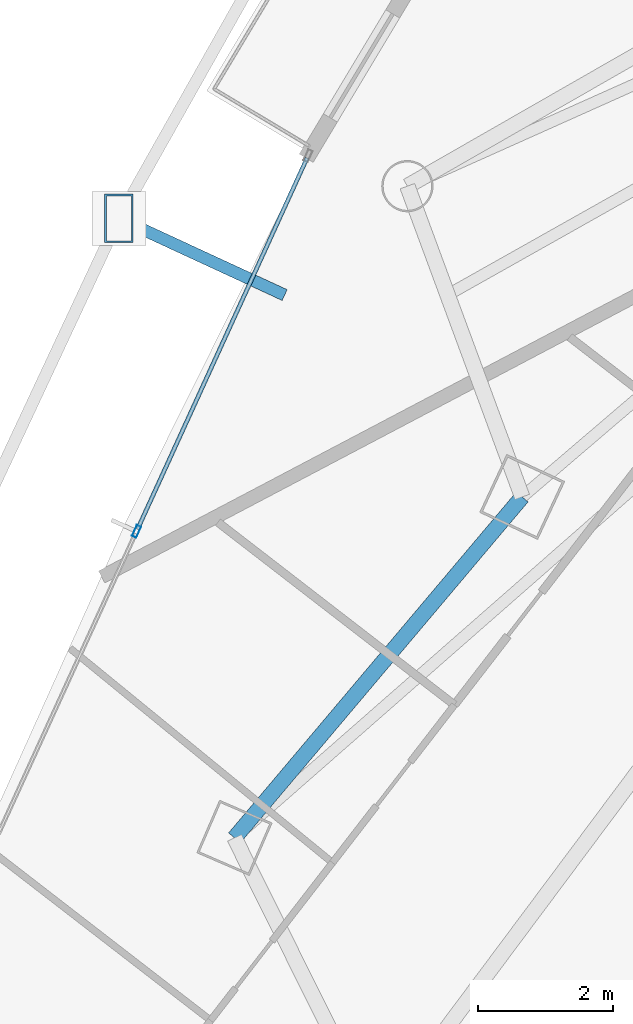
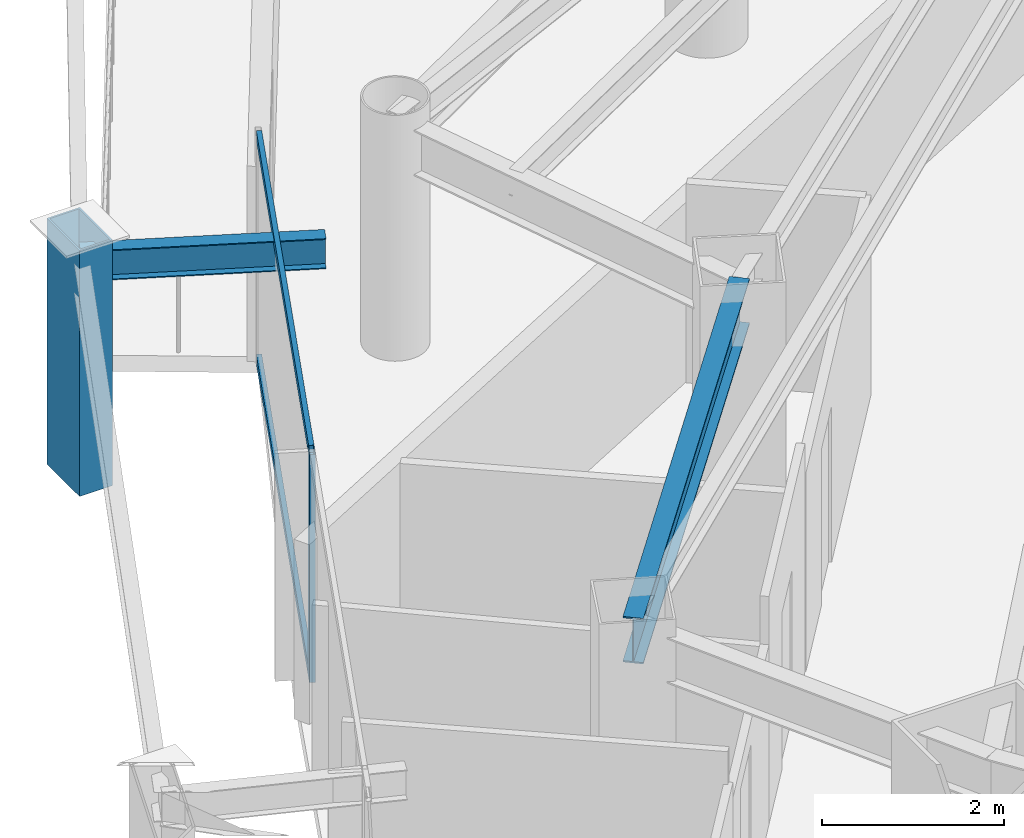
# One storey, part 8 of 34: 4 members, 2 beams, 1 element without a shape of its own.
"""IFC4 building model written with IfcOpenShell, lengths in metres."""

from ifc_helpers import new_model, si_unit, direction, frame, origin, origin_2d, place, context, subcontext, project, spatial, hollow_rectangle, i_section, extrude, material, layer, layer_set, material_profile, profile_set, type_object, element, aggregate, save


model = new_model("IFC4")

# Units and contexts
model_context = context("Model", 3, precision=1e-05, world=origin(), true_north=direction((0.0, 1.0)))
body_context = subcontext(model_context, "Body", "Model", "MODEL_VIEW")
ifc_project = project(units=[si_unit("LENGTHUNIT", "METRE"), si_unit("AREAUNIT", "SQUARE_METRE"), si_unit("VOLUMEUNIT", "CUBIC_METRE"), si_unit("PLANEANGLEUNIT", "RADIAN"), si_unit("MASSUNIT", "GRAM", prefix="KILO")], contexts=[model_context])

# Site, building, storey
site_placement = place(None, origin())
site = spatial("IfcSite", under=ifc_project, at=site_placement, CompositionType="ELEMENT")
building_placement = place(site_placement, origin())
building = spatial("IfcBuilding", under=site, at=building_placement, Name="Orvanel Arch Residences", CompositionType="ELEMENT")
storey_placement = place(building_placement, frame((0.0, 0.0, 80.75)))
storey = spatial("IfcBuildingStorey", under=building, at=storey_placement, Name="L22", CompositionType="ELEMENT", Elevation=80.75)

# Member
ifc_material_1 = material(Name="Structural steel AS/NZS 3678 Grade 350", Category="steel")
ifc_material_profile_1 = material_profile(ifc_material_1, hollow_rectangle(XDim=0.419921875, YDim=0.719970703125, WallThickness=0.02490234375, at=origin_2d()), Name="RHS720x420x25")
ifc_profile_set_1 = profile_set([ifc_material_profile_1], Name="Structural steel AS/NZS 3678 Grade 350")
member_type_1 = type_object("IfcMemberType", Name="CH-720RHS-EXT", PredefinedType="CHORD", material=ifc_profile_set_1)
member_1_placement = place(storey_placement, frame((10.3779296875, 23.777099609375, 0.0), z_axis=(0.0, 0.0, 1.0), x_axis=(1.0, 0.0, 0.0)))
element("IfcMember", 1, at=member_1_placement, inside=storey, type_object=member_type_1, Name="L22 Outer Perimeter Frame Post 03", PredefinedType="CHORD", context=body_context, shape_type="SweptSolid", body=[
    extrude(hollow_rectangle(XDim=0.419921875, YDim=0.719970703125, WallThickness=0.02490234375, at=origin_2d()), origin(), (0.0, 0.0, 1.0), 3.300048828125),
])

# Curtain wall, member
ifc_material_2 = material(Name="Bronze-anodised aluminium AA6063-T6", Category="aluminium")
ifc_layer = layer(ifc_material_2, 0.179931640625)
ifc_layer_set = layer_set([ifc_layer], Name="Bronze-anodised aluminium AA6063-T6")
curtain_wall_type = type_object("IfcCurtainWallType", Name="CW2-LOW-SYS", PredefinedType="NOTDEFINED", material=ifc_layer_set)
curtain_wall_placement = place(storey_placement, origin())
curtain_wall = element("IfcCurtainWall", 2, at=curtain_wall_placement, inside=storey, type_object=curtain_wall_type, Name="L22 CW2-LOW-SYS Unitised Curtain Wall", PredefinedType="NOTDEFINED")
ifc_material_profile_2 = material_profile(ifc_material_2, hollow_rectangle(XDim=0.070068359375, YDim=0.179931640625, WallThickness=0.00439453125, at=origin_2d()), Name="ALU180x70x4.5")
ifc_profile_set_2 = profile_set([ifc_material_profile_2], Name="Bronze-anodised aluminium AA6063-T6")
member_type_2 = type_object("IfcMemberType", Name="MUL-180x70", PredefinedType="MULLION", material=ifc_profile_set_2)
member_2_placement = place(storey_placement, frame((10.640625, 19.1298828125, 0.0), z_axis=(0.0, 0.0, 1.0), x_axis=(0.909616944848, -0.415447967434, 0.0)))
member_2 = element("IfcMember", 3, at=member_2_placement, type_object=member_type_2, Name="CW-S2 mullion 2", PredefinedType="MULLION", context=body_context, shape_type="SweptSolid", body=[
    extrude(hollow_rectangle(XDim=0.070068359375, YDim=0.179931640625, WallThickness=0.00439453125, at=origin_2d()), origin(), (0.0, 0.0, 1.0), 3.06005859375),
])

# Beams
ifc_material_3 = material(Name="Structural steel AS/NZS 3679.1 Grade 300 (300 MPa)", Category="steel")
ifc_material_profile_3 = material_profile(ifc_material_3, i_section(OverallWidth=0.177978515625, OverallDepth=0.406005859375, WebThickness=0.0078125, FlangeThickness=0.0126953125, at=origin_2d()), Name="410UB59.7")
ifc_profile_set_3 = profile_set([ifc_material_profile_3], Name="Structural steel AS/NZS 3679.1 Grade 300 (300 MPa)")
beam_type_1 = type_object("IfcBeamType", Name="OB-410UB-EXT", PredefinedType="SPANDREL", material=ifc_profile_set_3)
beam_1_placement = place(storey_placement, frame((12.840087890625, 22.638916015625, 2.85693359375), z_axis=(-0.907706325424, 0.419606037593, 0.0), x_axis=(-0.419606037593, -0.907706325424, 0.0)))
element("IfcBeam", 4, at=beam_1_placement, inside=storey, type_object=beam_type_1, Name="L22 Outer Frame Radial Tie Beam 03", PredefinedType="SPANDREL", context=body_context, shape_type="SweptSolid", body=[
    extrude(i_section(OverallWidth=0.177978515625, OverallDepth=0.406005859375, WebThickness=0.0078125, FlangeThickness=0.0126953125, at=origin_2d()), origin(), (0.0, 0.0, 1.0), 2.71240234375),
])
ifc_material_profile_4 = material_profile(ifc_material_3, i_section(OverallWidth=0.22900390625, OverallDepth=0.612060546875, WebThickness=0.011962890625, FlangeThickness=0.01953125, at=origin_2d()), Name="610UB125")
ifc_profile_set_4 = profile_set([ifc_material_profile_4], Name="Structural steel AS/NZS 3679.1 Grade 300 (300 MPa)")
beam_type_2 = type_object("IfcBeamType", Name="SP-610UB", PredefinedType="SPANDREL", material=ifc_profile_set_4)
beam_2_placement = place(storey_placement, frame((16.366943359375, 19.64208984375, 2.75390625), z_axis=(-0.644950329775, -0.764224490659, 0.0), x_axis=(0.764224490659, -0.644950329775, 0.0)))
element("IfcBeam", 5, at=beam_2_placement, inside=storey, type_object=beam_type_2, Name="L22 Perimeter Spandrel Beam 01", PredefinedType="SPANDREL", context=body_context, shape_type="SweptSolid", body=[
    extrude(i_section(OverallWidth=0.22900390625, OverallDepth=0.612060546875, WebThickness=0.011962890625, FlangeThickness=0.01953125, at=origin_2d()), origin(), (0.0, 0.0, 1.0), 6.623779296875),
])

# Member
ifc_material_profile_5 = material_profile(ifc_material_2, hollow_rectangle(XDim=0.06005859375, YDim=0.135009765625, WallThickness=0.00390625, at=origin_2d()), Name="ALU135x60x4")
ifc_profile_set_5 = profile_set([ifc_material_profile_5], Name="Bronze-anodised aluminium AA6063-T6")
member_type_3 = type_object("IfcMemberType", Name="TRN-135x60", PredefinedType="USERDEFINED", material=ifc_profile_set_5)
member_3_placement = place(storey_placement, frame((13.1728515625, 24.67431640625, 0.030029296875), z_axis=(-0.415432220191, -0.909624136898, 0.0), x_axis=(0.909624136898, -0.415432220191, 0.0)))
member_3 = element("IfcMember", 6, at=member_3_placement, type_object=member_type_3, Name="CW-S2 transom 1.1", ObjectType="TRANSOM", PredefinedType="USERDEFINED", context=body_context, shape_type="SweptSolid", body=[
    extrude(hollow_rectangle(XDim=0.06005859375, YDim=0.135009765625, WallThickness=0.00390625, at=origin_2d()), origin(), (0.0, 0.0, 1.0), 6.06005859375),
])

member_4_placement = place(storey_placement, frame((13.1728515625, 24.67431640625, 3.030029296875), z_axis=(-0.415432220191, -0.909624136898, 0.0), x_axis=(0.909624136898, -0.415432220191, 0.0)))
member_4 = element("IfcMember", 7, at=member_4_placement, type_object=member_type_3, Name="CW-S2 transom 1.2", ObjectType="TRANSOM", PredefinedType="USERDEFINED", context=body_context, shape_type="SweptSolid", body=[
    extrude(hollow_rectangle(XDim=0.06005859375, YDim=0.135009765625, WallThickness=0.00390625, at=origin_2d()), origin(), (0.0, 0.0, 1.0), 6.06005859375),
])

aggregate(curtain_wall, [member_2, member_3, member_4])

save(model, "model.ifc")
